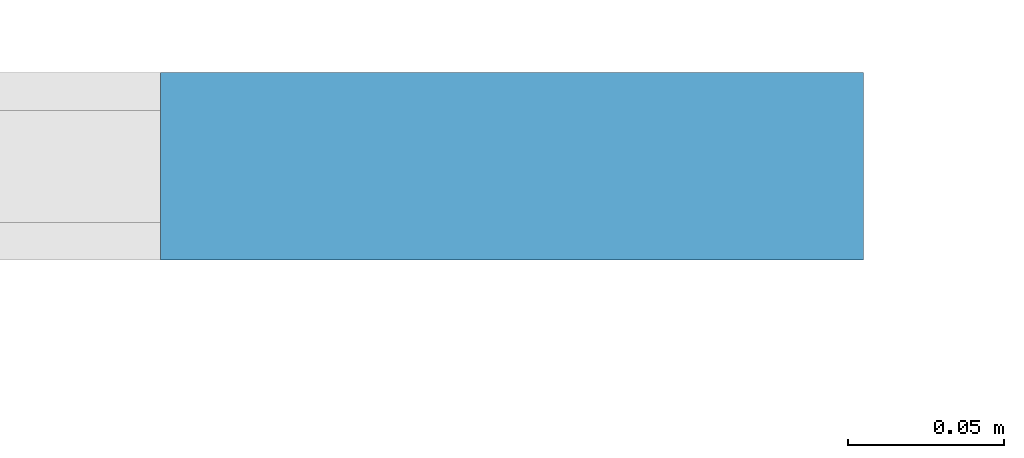
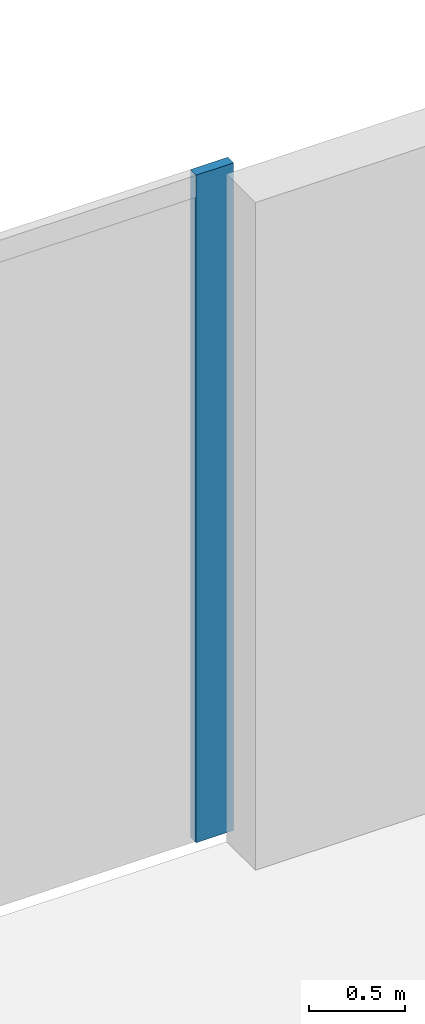
# One storey, part 22 of 47: 1 member, 1 element without a shape of its own.
"""IFC4 building model written with IfcOpenShell, lengths in metres."""

from ifc_helpers import new_model, si_unit, direction, frame, origin, origin_2d, place, context, subcontext, project, spatial, rectangle, extrude, material, layer, layer_set, material_profile, profile_set, type_object, element, aggregate, save


model = new_model("IFC4")

# Units and contexts
model_context = context("Model", 3, precision=1e-05, world=origin(), true_north=direction((0.0, 1.0)))
body_context = subcontext(model_context, "Body", "Model", "MODEL_VIEW")
ifc_project = project(units=[si_unit("LENGTHUNIT", "METRE"), si_unit("AREAUNIT", "SQUARE_METRE"), si_unit("VOLUMEUNIT", "CUBIC_METRE"), si_unit("PLANEANGLEUNIT", "RADIAN"), si_unit("MASSUNIT", "GRAM", prefix="KILO")], contexts=[model_context])

# Site, building, storey
site_placement = place(None, origin())
site = spatial("IfcSite", under=ifc_project, at=site_placement, CompositionType="ELEMENT")
building_placement = place(site_placement, origin())
building = spatial("IfcBuilding", under=site, at=building_placement, Name="Kheshtan School and Residences Tower", CompositionType="ELEMENT")
storey_placement = place(building_placement, frame((0.0, 0.0, 21.5)))
storey = spatial("IfcBuildingStorey", under=building, at=storey_placement, Name="L04", CompositionType="ELEMENT", Elevation=21.5)

# Curtain wall, member
ifc_material_1 = material(Name="Clear low-e glass in thermally broken aluminium frame", Category="aluminium")
ifc_layer = layer(ifc_material_1, 0.22509765625)
ifc_layer_set = layer_set([ifc_layer], Name="Curtain wall CW-P")
curtain_wall_type = type_object("IfcCurtainWallType", Name="Curtain wall CW-P", PredefinedType="NOTDEFINED", material=ifc_layer_set)
curtain_wall_placement = place(storey_placement, origin())
curtain_wall = element("IfcCurtainWall", 1, at=curtain_wall_placement, inside=storey, type_object=curtain_wall_type, Name="Curtain wall CWP4a", PredefinedType="NOTDEFINED")
ifc_material_2 = material(Name="Thermally broken aluminium, dark bronze anodised", Category="aluminium")
ifc_material_profile = material_profile(ifc_material_2, rectangle(XDim=0.06005859375, YDim=0.22509765625, at=origin_2d()), Name="CW-P mullion 60x225")
ifc_profile_set = profile_set([ifc_material_profile], Name="Thermally broken aluminium, dark bronze anodised")
member_type = type_object("IfcMemberType", Name="CW-P mullion 60x225", PredefinedType="MULLION", material=ifc_profile_set)
member_placement = place(storey_placement, frame((78.449951171875, 110.10009765625, 0.0), z_axis=(0.0, 0.0, 1.0), x_axis=(0.0, 1.0, 0.0)))
member = element("IfcMember", 2, at=member_placement, type_object=member_type, Name="CWP4a mullion 12", PredefinedType="MULLION", context=body_context, shape_type="SweptSolid", body=[
    extrude(rectangle(XDim=0.06005859375, YDim=0.22509765625, at=origin_2d()), origin(), (0.0, 0.0, 1.0), 4.25),
])
aggregate(curtain_wall, [member])

save(model, "model.ifc")
